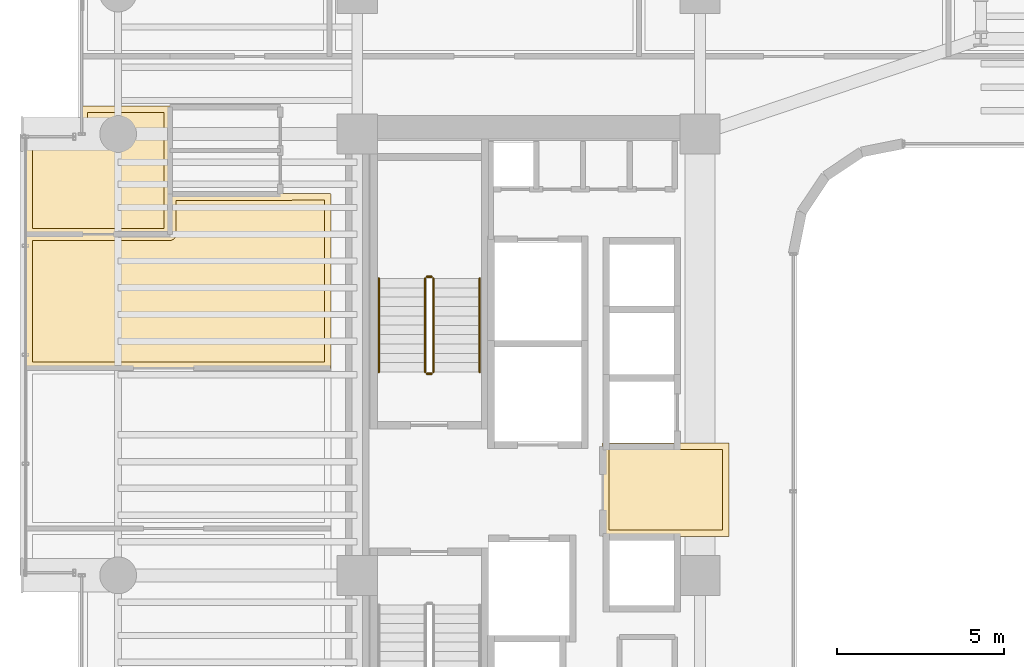
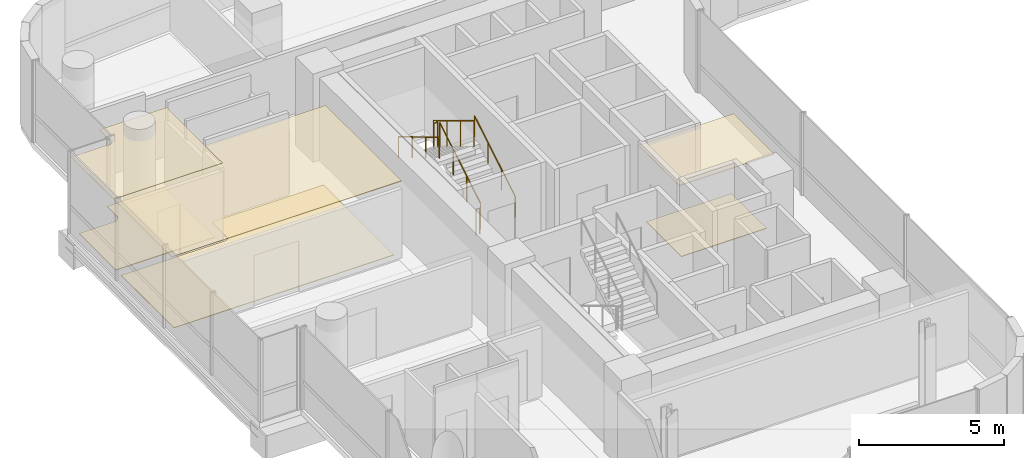
# One storey, part 32 of 35: 6 coverings, 6 railings.
"""IFC4 building model written with IfcOpenShell, lengths in metres."""

from ifc_helpers import new_model, si_unit, direction, frame, origin, origin_2d, place, context, subcontext, project, spatial, polyline, circle, outline, extrude, material, layer, layer_set, type_object, element, save


model = new_model("IFC4")

# Units and contexts
model_context = context("Model", 3, precision=1e-05, world=origin(), true_north=direction((0.0, 1.0)))
body_context = subcontext(model_context, "Body", "Model", "MODEL_VIEW")
ifc_project = project(units=[si_unit("LENGTHUNIT", "METRE"), si_unit("AREAUNIT", "SQUARE_METRE"), si_unit("VOLUMEUNIT", "CUBIC_METRE"), si_unit("PLANEANGLEUNIT", "RADIAN"), si_unit("MASSUNIT", "GRAM", prefix="KILO")], contexts=[model_context])

# Site, building, storey
site_placement = place(None, origin())
site = spatial("IfcSite", under=ifc_project, at=site_placement, CompositionType="ELEMENT")
building_placement = place(site_placement, origin())
building = spatial("IfcBuilding", under=site, at=building_placement, Name="Valdorenza Pilgrim Sanctuary Tower", CompositionType="ELEMENT")
storey_placement = place(building_placement, frame((0.0, 0.0, 139.0)))
storey = spatial("IfcBuildingStorey", under=building, at=storey_placement, Name="L35", CompositionType="ELEMENT", Elevation=139.0)

# Coverings
ifc_material_1 = material(Name="Micro-perforated acoustic mineral ceiling tile", Category="gypsum")
ifc_layer_1 = layer(ifc_material_1, 0.02490234375, Name="Micro-perforated acoustic mineral ceiling tile")
ifc_layer_set_1 = layer_set([ifc_layer_1], Name="Micro-perforated acoustic mineral ceiling tile")
covering_type_1 = type_object("IfcCoveringType", Name="COV-CLG-ACU", PredefinedType="CEILING", material=ifc_layer_set_1)
covering_1_placement = place(storey_placement, frame((0.0, 0.0, 3.159912109375)))
element("IfcCovering", 1, at=covering_1_placement, inside=storey, type_object=covering_type_1, Name="L35 Core A Passenger Lift Lobby Acoustic Ceiling", PredefinedType="CEILING", context=body_context, shape_type="SweptSolid", body=[
    extrude(outline(polyline([(-15.31298828125, 1.244384765625), (-15.31298828125, 1.24462890625), (-15.313720703125, 1.24609375), (-15.314208984375, 1.24755859375), (-15.314697265625, 1.2490234375), (-15.31494140625, 1.25048828125), (-15.31494140625, 1.251953125), (-15.31494140625, 1.35009765625), (-15.31494140625, 1.3515625), (-15.314697265625, 1.352783203125), (-15.314453125, 1.3544921875), (-15.31396484375, 1.355712890625), (-15.313232421875, 1.357177734375), (-15.3125, 1.3583984375), (-15.3115234375, 1.359619140625), (-15.310546875, 1.360595703125), (-15.3095703125, 1.361572265625), (-15.308349609375, 1.362548828125), (-15.30712890625, 1.36328125), (-15.3056640625, 1.364013671875), (-15.304443359375, 1.364501953125), (-15.302978515625, 1.36474609375), (-15.301513671875, 1.364990234375), (-15.300048828125, 1.364990234375), (-15.10205078125, 1.364990234375), (-15.1005859375, 1.364990234375), (-15.09912109375, 1.36474609375), (-15.097412109375, 1.3642578125), (-15.09619140625, 1.36376953125), (-15.0947265625, 1.363037109375), (-15.094482421875, 1.363037109375), (-13.185546875, 1.363037109375), (-13.185302734375, 1.363037109375), (-13.183837890625, 1.36376953125), (-13.1826171875, 1.3642578125), (-13.180908203125, 1.36474609375), (-13.179443359375, 1.364990234375), (-13.177978515625, 1.364990234375), (-11.550048828125, 1.364990234375), (-11.548583984375, 1.364990234375), (-11.547119140625, 1.36474609375), (-11.545654296875, 1.364501953125), (-11.544189453125, 1.364013671875), (-11.54296875, 1.36328125), (-11.541748046875, 1.362548828125), (-11.54052734375, 1.361572265625), (-11.539306640625, 1.360595703125), (-11.538330078125, 1.359619140625), (-11.53759765625, 1.3583984375), (-11.536865234375, 1.357177734375), (-11.5361328125, 1.355712890625), (-11.53564453125, 1.3544921875), (-11.535400390625, 1.352783203125), (-11.53515625, 1.3515625), (-11.534912109375, 1.35009765625), (-11.534912109375, -1.419921875), (-11.53515625, -1.42138671875), (-11.535400390625, -1.4228515625), (-11.53564453125, -1.42431640625), (-11.5361328125, -1.42578125), (-11.536865234375, -1.427001953125), (-11.53759765625, -1.42822265625), (-11.538330078125, -1.429443359375), (-11.539306640625, -1.4306640625), (-11.54052734375, -1.431640625), (-11.541748046875, -1.4326171875), (-11.54296875, -1.43310546875), (-11.544189453125, -1.433837890625), (-11.545654296875, -1.434326171875), (-11.547119140625, -1.434814453125), (-11.548583984375, -1.434814453125), (-11.550048828125, -1.43505859375), (-15.298095703125, -1.43505859375), (-15.299560546875, -1.434814453125), (-15.30078125, -1.434814453125), (-15.302490234375, -1.434326171875), (-15.3037109375, -1.433837890625), (-15.30517578125, -1.43310546875), (-15.306396484375, -1.4326171875), (-15.3076171875, -1.431640625), (-15.30859375, -1.4306640625), (-15.3095703125, -1.429443359375), (-15.310546875, -1.42822265625), (-15.311279296875, -1.427001953125), (-15.31201171875, -1.42578125), (-15.3125, -1.42431640625), (-15.312744140625, -1.4228515625), (-15.31298828125, -1.42138671875), (-15.31298828125, -1.419921875), (-15.31298828125, 1.244384765625)])), origin(), (0.0, 0.0, 1.0), 0.025146484375),
])
covering_2_placement = place(storey_placement, frame((0.0, 0.0, 3.159912109375)))
element("IfcCovering", 2, at=covering_2_placement, inside=storey, type_object=covering_type_1, Name="L35 Pastoral Scholar Office L35-CN1 Acoustic Ceiling", PredefinedType="CEILING", context=body_context, shape_type="SweptSolid", body=[
    extrude(outline(polyline([(-28.237060546875, 8.805419921875), (-28.23681640625, 8.805419921875), (-28.236083984375, 8.803955078125), (-28.235595703125, 8.802490234375), (-28.2353515625, 8.801025390625), (-28.235107421875, 8.799560546875), (-28.235107421875, 8.798095703125), (-28.235107421875, 7.60009765625), (-28.235107421875, 7.598388671875), (-28.2353515625, 7.59716796875), (-28.235595703125, 7.595703125), (-28.236083984375, 7.59423828125), (-28.23681640625, 7.593017578125), (-28.237548828125, 7.591796875), (-28.23828125, 7.590576171875), (-28.239501953125, 7.58935546875), (-28.240478515625, 7.58837890625), (-28.24169921875, 7.58740234375), (-28.242919921875, 7.5869140625), (-28.244384765625, 7.586181640625), (-28.24560546875, 7.585693359375), (-28.2470703125, 7.585205078125), (-28.24853515625, 7.585205078125), (-28.25, 7.5849609375), (-32.5400390625, 7.5849609375), (-32.54150390625, 7.585205078125), (-32.54296875, 7.585205078125), (-32.54443359375, 7.585693359375), (-32.545654296875, 7.586181640625), (-32.547119140625, 7.5869140625), (-32.54833984375, 7.58740234375), (-32.549560546875, 7.58837890625), (-32.550537109375, 7.58935546875), (-32.551513671875, 7.590576171875), (-32.552490234375, 7.591796875), (-32.55322265625, 7.593017578125), (-32.553955078125, 7.59423828125), (-32.554443359375, 7.595703125), (-32.5546875, 7.59716796875), (-32.554931640625, 7.598388671875), (-32.554931640625, 7.60009765625), (-32.554931640625, 10.489990234375), (-32.554931640625, 10.491455078125), (-32.5546875, 10.492919921875), (-32.554443359375, 10.494384765625), (-32.553955078125, 10.49560546875), (-32.55322265625, 10.4970703125), (-32.552490234375, 10.498291015625), (-32.551513671875, 10.49951171875), (-32.550537109375, 10.50048828125), (-32.549560546875, 10.501708984375), (-32.54833984375, 10.50244140625), (-32.547119140625, 10.503173828125), (-32.545654296875, 10.50390625), (-32.54443359375, 10.50439453125), (-32.54296875, 10.504638671875), (-32.54150390625, 10.5048828125), (-32.5400390625, 10.5048828125), (-31.00048828125, 10.5048828125), (-30.99072265625, 10.505615234375), (-30.9814453125, 10.5068359375), (-30.972412109375, 10.509033203125), (-30.963623046875, 10.51220703125), (-30.955078125, 10.51611328125), (-30.947265625, 10.52099609375), (-30.939697265625, 10.526611328125), (-30.932861328125, 10.53271484375), (-30.926513671875, 10.539794921875), (-30.9208984375, 10.547119140625), (-30.916259765625, 10.55517578125), (-30.912109375, 10.563720703125), (-30.9091796875, 10.572509765625), (-30.90673828125, 10.58154296875), (-30.905517578125, 10.5908203125), (-30.905029296875, 10.600341796875), (-30.905029296875, 11.419921875), (-30.90478515625, 11.42138671875), (-30.90478515625, 11.4228515625), (-30.904296875, 11.42431640625), (-30.90380859375, 11.42578125), (-30.9033203125, 11.427001953125), (-30.902587890625, 11.42822265625), (-30.901611328125, 11.429443359375), (-30.900634765625, 11.4306640625), (-30.8994140625, 11.431640625), (-30.898193359375, 11.4326171875), (-30.897216796875, 11.43310546875), (-30.895751953125, 11.433837890625), (-30.894287109375, 11.434326171875), (-30.892822265625, 11.434814453125), (-30.8916015625, 11.434814453125), (-30.889892578125, 11.43505859375), (-28.25, 11.43505859375), (-28.24853515625, 11.434814453125), (-28.2470703125, 11.434814453125), (-28.24560546875, 11.434326171875), (-28.244384765625, 11.433837890625), (-28.242919921875, 11.43310546875), (-28.24169921875, 11.4326171875), (-28.240478515625, 11.431640625), (-28.239501953125, 11.4306640625), (-28.23828125, 11.429443359375), (-28.237548828125, 11.42822265625), (-28.23681640625, 11.427001953125), (-28.236083984375, 11.42578125), (-28.235595703125, 11.42431640625), (-28.2353515625, 11.4228515625), (-28.235107421875, 11.42138671875), (-28.235107421875, 11.419921875), (-28.235107421875, 11.402099609375), (-28.235107421875, 11.400390625), (-28.2353515625, 11.39892578125), (-28.235595703125, 11.3974609375), (-28.236083984375, 11.39599609375), (-28.23681640625, 11.394775390625), (-28.237060546875, 11.39453125), (-28.237060546875, 10.103759765625), (-28.23681640625, 10.10302734375), (-28.23681640625, 10.1015625), (-28.23681640625, 10.10009765625), (-28.23681640625, 10.098388671875), (-28.237060546875, 10.09814453125), (-28.237060546875, 8.805419921875)])), origin(), (0.0, 0.0, 1.0), 0.025146484375),
])
covering_3_placement = place(storey_placement, frame((0.0, 0.0, 3.159912109375)))
element("IfcCovering", 3, at=covering_3_placement, inside=storey, type_object=covering_type_1, Name="L35 North Contemplation Salon L35 Acoustic Ceiling", PredefinedType="CEILING", context=body_context, shape_type="SweptSolid", body=[
    extrude(outline(polyline([(-28.262939453125, 7.613037109375), (-28.262939453125, 8.798095703125), (-28.262939453125, 8.799560546875), (-28.2626953125, 8.80078125), (-28.262451171875, 8.802490234375), (-28.261962890625, 8.8037109375), (-28.26123046875, 8.80517578125), (-28.260498046875, 8.806396484375), (-28.259521484375, 8.8076171875), (-28.258544921875, 8.80859375), (-28.257568359375, 8.8095703125), (-28.25634765625, 8.810546875), (-28.255126953125, 8.811279296875), (-28.253662109375, 8.81201171875), (-28.25244140625, 8.8125), (-28.2509765625, 8.812744140625), (-28.24951171875, 8.81298828125), (-28.248046875, 8.81298828125), (-24.955322265625, 8.81298828125), (-24.954833984375, 8.813232421875), (-24.95361328125, 8.81396484375), (-24.9521484375, 8.814453125), (-24.95068359375, 8.814697265625), (-24.949462890625, 8.81494140625), (-24.947998046875, 8.81494140625), (-23.449951171875, 8.81494140625), (-23.448486328125, 8.81494140625), (-23.447021484375, 8.814697265625), (-23.445556640625, 8.814453125), (-23.4443359375, 8.81396484375), (-23.44287109375, 8.813232421875), (-23.441650390625, 8.8125), (-23.4404296875, 8.8115234375), (-23.439453125, 8.810546875), (-23.4384765625, 8.8095703125), (-23.4375, 8.808349609375), (-23.436767578125, 8.80712890625), (-23.43603515625, 8.8056640625), (-23.435546875, 8.804443359375), (-23.435302734375, 8.802978515625), (-23.43505859375, 8.801513671875), (-23.43505859375, 8.800048828125), (-23.43505859375, 3.60205078125), (-23.43505859375, 3.6005859375), (-23.435302734375, 3.59912109375), (-23.435546875, 3.59765625), (-23.43603515625, 3.59619140625), (-23.436767578125, 3.594970703125), (-23.4375, 3.59375), (-23.4384765625, 3.592529296875), (-23.439453125, 3.59130859375), (-23.4404296875, 3.59033203125), (-23.441650390625, 3.589599609375), (-23.44287109375, 3.5888671875), (-23.4443359375, 3.588134765625), (-23.445556640625, 3.587646484375), (-23.447021484375, 3.58740234375), (-23.448486328125, 3.587158203125), (-23.449951171875, 3.5869140625), (-32.5400390625, 3.5869140625), (-32.54150390625, 3.587158203125), (-32.54296875, 3.58740234375), (-32.54443359375, 3.587646484375), (-32.545654296875, 3.588134765625), (-32.547119140625, 3.5888671875), (-32.54833984375, 3.589599609375), (-32.549560546875, 3.59033203125), (-32.550537109375, 3.59130859375), (-32.551513671875, 3.592529296875), (-32.552490234375, 3.59375), (-32.55322265625, 3.594970703125), (-32.553955078125, 3.59619140625), (-32.554443359375, 3.59765625), (-32.5546875, 3.59912109375), (-32.554931640625, 3.6005859375), (-32.554931640625, 3.60205078125), (-32.554931640625, 7.597900390625), (-32.554931640625, 7.599609375), (-32.5546875, 7.600830078125), (-32.554443359375, 7.602294921875), (-32.553955078125, 7.603759765625), (-32.55322265625, 7.60498046875), (-32.552490234375, 7.606201171875), (-32.551513671875, 7.607421875), (-32.550537109375, 7.608642578125), (-32.549560546875, 7.609619140625), (-32.54833984375, 7.610595703125), (-32.547119140625, 7.611083984375), (-32.545654296875, 7.61181640625), (-32.54443359375, 7.6123046875), (-32.54296875, 7.61279296875), (-32.54150390625, 7.61279296875), (-32.5400390625, 7.613037109375), (-28.262939453125, 7.613037109375)])), origin(), (0.0, 0.0, 1.0), 0.025146484375),
])
ifc_material_2 = material(Name="Honed travertine stone flooring", Category="masonry")
ifc_layer_2 = layer(ifc_material_2, 0.030029296875, Name="Honed travertine stone flooring")
ifc_layer_set_2 = layer_set([ifc_layer_2], Name="Honed travertine stone flooring")
covering_type_2 = type_object("IfcCoveringType", Name="COV-FLR-TRV", PredefinedType="FLOORING", material=ifc_layer_set_2)
covering_4_placement = place(storey_placement, origin())
element("IfcCovering", 4, at=covering_4_placement, inside=storey, type_object=covering_type_2, Name="L35 Core A Passenger Lift Lobby Flooring", PredefinedType="FLOORING", context=body_context, shape_type="SweptSolid", body=[
    extrude(outline(polyline([(-15.117919921875, 1.169189453125), (-15.10888671875, 1.168212890625), (-15.10888671875, 1.168212890625), (-15.10009765625, 1.16796875), (-13.179931640625, 1.16796875), (-13.1796875, 1.16796875), (-11.72998046875, 1.169921875), (-11.72998046875, -1.239990234375), (-15.117919921875, -1.239990234375), (-15.117919921875, 1.169189453125)])), origin(), (0.0, 0.0, 1.0), 0.02490234375),
])
covering_5_placement = place(storey_placement, origin())
element("IfcCovering", 5, at=covering_5_placement, inside=storey, type_object=covering_type_2, Name="L35 Pastoral Scholar Office L35-CN1 Flooring", PredefinedType="FLOORING", context=body_context, shape_type="SweptSolid", body=[
    extrude(outline(polyline([(-28.431884765625, 11.239990234375), (-28.431884765625, 10.10205078125), (-28.431884765625, 10.10107421875), (-28.431884765625, 10.100341796875), (-28.431884765625, 10.10009765625), (-28.431884765625, 8.800048828125), (-28.431884765625, 8.7998046875), (-28.430419921875, 7.780029296875), (-32.360107421875, 7.780029296875), (-32.360107421875, 10.31005859375), (-31.0, 10.31005859375), (-30.9912109375, 10.310302734375), (-30.98046875, 10.310791015625), (-30.962890625, 10.3125), (-30.9521484375, 10.314208984375), (-30.934814453125, 10.3173828125), (-30.92431640625, 10.320068359375), (-30.907470703125, 10.3251953125), (-30.897216796875, 10.328857421875), (-30.880859375, 10.335693359375), (-30.87109375, 10.34033203125), (-30.855712890625, 10.3486328125), (-30.84619140625, 10.35400390625), (-30.831787109375, 10.364013671875), (-30.822998046875, 10.370361328125), (-30.809326171875, 10.381591796875), (-30.80126953125, 10.388916015625), (-30.788818359375, 10.4013671875), (-30.781494140625, 10.4091796875), (-30.7705078125, 10.423095703125), (-30.763916015625, 10.431640625), (-30.754150390625, 10.4462890625), (-30.74853515625, 10.45556640625), (-30.740234375, 10.47119140625), (-30.735595703125, 10.48095703125), (-30.72900390625, 10.497314453125), (-30.725341796875, 10.50732421875), (-30.72021484375, 10.5244140625), (-30.717529296875, 10.534912109375), (-30.714111328125, 10.552001953125), (-30.71240234375, 10.562744140625), (-30.710693359375, 10.580322265625), (-30.710205078125, 10.59130859375), (-30.7099609375, 10.60009765625), (-30.7099609375, 11.239990234375), (-28.431884765625, 11.239990234375)])), origin(), (0.0, 0.0, 1.0), 0.02490234375),
])
covering_6_placement = place(storey_placement, origin())
element("IfcCovering", 6, at=covering_6_placement, inside=storey, type_object=covering_type_2, Name="L35 North Contemplation Salon L35 Flooring", PredefinedType="FLOORING", context=body_context, shape_type="SweptSolid", body=[
    extrude(outline(polyline([(-23.6298828125, 8.619873046875), (-23.6298828125, 3.781982421875), (-32.360107421875, 3.781982421875), (-32.360107421875, 7.41796875), (-28.25, 7.41796875), (-28.2412109375, 7.418212890625), (-28.240966796875, 7.418212890625), (-28.223388671875, 7.419921875), (-28.22314453125, 7.419921875), (-28.205810546875, 7.42333984375), (-28.205810546875, 7.423583984375), (-28.188720703125, 7.4287109375), (-28.188720703125, 7.4287109375), (-28.17236328125, 7.435302734375), (-28.172119140625, 7.435546875), (-28.156494140625, 7.44384765625), (-28.156494140625, 7.44384765625), (-28.1416015625, 7.453857421875), (-28.1416015625, 7.453857421875), (-28.1279296875, 7.465087890625), (-28.127685546875, 7.465087890625), (-28.115234375, 7.477783203125), (-28.114990234375, 7.477783203125), (-28.10400390625, 7.491455078125), (-28.103759765625, 7.49169921875), (-28.093994140625, 7.50634765625), (-28.09375, 7.506591796875), (-28.08544921875, 7.522216796875), (-28.08544921875, 7.522216796875), (-28.07861328125, 7.53857421875), (-28.07861328125, 7.538818359375), (-28.073486328125, 7.5556640625), (-28.073486328125, 7.555908203125), (-28.070068359375, 7.5732421875), (-28.070068359375, 7.573486328125), (-28.068115234375, 7.591064453125), (-28.068115234375, 7.59130859375), (-28.068115234375, 7.60009765625), (-28.068115234375, 8.617919921875), (-24.949951171875, 8.617919921875), (-24.94970703125, 8.617919921875), (-23.6298828125, 8.619873046875)])), origin(), (0.0, 0.0, 1.0), 0.02490234375),
])

# Railings
ifc_material_3 = material(Name="Stainless steel Grade 316", Category="steel")
railing_type_1 = type_object("IfcRailingType", Name="RLG-GRD-1120", PredefinedType="GUARDRAIL", material=ifc_material_3)
railing_1_placement = place(storey_placement, frame((-20.3701171875, 3.47998046875, 0.168212890625)))
element("IfcRailing", 7, at=railing_1_placement, inside=storey, type_object=railing_type_1, Name="L35 ST-A1 stair guard 1", PredefinedType="GUARDRAIL", context=body_context, shape_type="SweptSolid", body=[
    extrude(circle(Radius=0.02392578125, at=origin_2d()), frame((0.0, 0.0, 1.076171875), z_axis=(0.0, 0.857242210791, 0.514913383045), x_axis=(-1.0, 0.0, 0.0)), (0.0, 0.0, 1.0), 3.266357421875),
    extrude(circle(Radius=0.02099609375, at=origin_2d()), origin(), (0.0, 0.0, 1.0), 1.052001953125),
    extrude(circle(Radius=0.02099609375, at=origin_2d()), frame((0.0, 0.933349609375, 0.560546875)), (0.0, 0.0, 1.0), 1.052001953125),
    extrude(circle(Radius=0.02099609375, at=origin_2d()), frame((0.0, 1.86669921875, 1.121337890625)), (0.0, 0.0, 1.0), 1.052001953125),
    extrude(circle(Radius=0.02099609375, at=origin_2d()), frame((0.0, 2.800048828125, 1.681884765625)), (0.0, 0.0, 1.0), 1.052001953125),
])
railing_2_placement = place(storey_placement, frame((-20.419921875, 6.330078125, 1.85009765625)))
element("IfcRailing", 8, at=railing_2_placement, inside=storey, type_object=railing_type_1, Name="L35 ST-A1 stair guard 2", PredefinedType="GUARDRAIL", context=body_context, shape_type="SweptSolid", body=[
    extrude(circle(Radius=0.02392578125, at=origin_2d()), frame((0.0, 0.0, 1.076171875), z_axis=(-1.0, 0.0, 0.0), x_axis=(0.0, -1.0, 0.0)), (0.0, 0.0, 1.0), 0.150146484375),
    extrude(circle(Radius=0.02099609375, at=origin_2d()), origin(), (0.0, 0.0, 1.0), 1.052001953125),
    extrude(circle(Radius=0.02099609375, at=origin_2d()), frame((-0.150146484375, 0.0, 0.0)), (0.0, 0.0, 1.0), 1.052001953125),
])
railing_3_placement = place(storey_placement, frame((-20.6201171875, 6.280029296875, 2.01806640625)))
element("IfcRailing", 9, at=railing_3_placement, inside=storey, type_object=railing_type_1, Name="L35 ST-A1 stair guard 3", PredefinedType="GUARDRAIL", context=body_context, shape_type="SweptSolid", body=[
    extrude(circle(Radius=0.02392578125, at=origin_2d()), frame((0.0, 0.0, 1.076171875), z_axis=(0.0, -0.857242210791, 0.514913383045), x_axis=(1.0, 0.0, 0.0)), (0.0, 0.0, 1.0), 3.266357421875),
    extrude(circle(Radius=0.02099609375, at=origin_2d()), origin(), (0.0, 0.0, 1.0), 1.052001953125),
    extrude(circle(Radius=0.02099609375, at=origin_2d()), frame((0.0, -0.933349609375, 0.560546875)), (0.0, 0.0, 1.0), 1.052001953125),
    extrude(circle(Radius=0.02099609375, at=origin_2d()), frame((0.0, -1.86669921875, 1.121337890625)), (0.0, 0.0, 1.0), 1.052001953125),
    extrude(circle(Radius=0.02099609375, at=origin_2d()), frame((0.0, -2.800048828125, 1.681884765625)), (0.0, 0.0, 1.0), 1.052001953125),
])
railing_4_placement = place(storey_placement, frame((-20.419921875, 3.429931640625, 0.0)))
element("IfcRailing", 10, at=railing_4_placement, inside=storey, type_object=railing_type_1, Name="L35 ST-A1 stair guard 4", PredefinedType="GUARDRAIL", context=body_context, shape_type="SweptSolid", body=[
    extrude(circle(Radius=0.02392578125, at=origin_2d()), frame((0.0, 0.0, 1.076171875), z_axis=(-1.0, 0.0, 0.0), x_axis=(0.0, -1.0, 0.0)), (0.0, 0.0, 1.0), 0.150146484375),
    extrude(circle(Radius=0.02099609375, at=origin_2d()), origin(), (0.0, 0.0, 1.0), 1.052001953125),
    extrude(circle(Radius=0.02099609375, at=origin_2d()), frame((-0.150146484375, 0.0, 0.0)), (0.0, 0.0, 1.0), 1.052001953125),
])
ifc_material_4 = material(Name="Brushed stainless steel Grade 316", Category="steel")
railing_type_2 = type_object("IfcRailingType", Name="RLG-HND-920", PredefinedType="HANDRAIL", material=ifc_material_4)
railing_5_placement = place(storey_placement, frame((-18.989990234375, 3.47998046875, 0.168212890625)))
element("IfcRailing", 11, at=railing_5_placement, inside=storey, type_object=railing_type_2, Name="L35 ST-A1 stair handrail 1", PredefinedType="HANDRAIL", context=body_context, shape_type="SweptSolid", body=[
    extrude(circle(Radius=0.02392578125, at=origin_2d()), frame((0.0, 0.0, 0.8759765625), z_axis=(0.0, 0.857242210791, 0.514913383045), x_axis=(-1.0, 0.0, 0.0)), (0.0, 0.0, 1.0), 3.266357421875),
    extrude(circle(Radius=0.02099609375, at=origin_2d()), origin(), (0.0, 0.0, 1.0), 0.851806640625),
    extrude(circle(Radius=0.02099609375, at=origin_2d()), frame((0.0, 0.933349609375, 0.560546875)), (0.0, 0.0, 1.0), 0.851806640625),
    extrude(circle(Radius=0.02099609375, at=origin_2d()), frame((0.0, 1.86669921875, 1.121337890625)), (0.0, 0.0, 1.0), 0.851806640625),
    extrude(circle(Radius=0.02099609375, at=origin_2d()), frame((0.0, 2.800048828125, 1.681884765625)), (0.0, 0.0, 1.0), 0.851806640625),
])
railing_6_placement = place(storey_placement, frame((-22.0, 6.280029296875, 2.01806640625)))
element("IfcRailing", 12, at=railing_6_placement, inside=storey, type_object=railing_type_2, Name="L35 ST-A1 stair handrail 2", PredefinedType="HANDRAIL", context=body_context, shape_type="SweptSolid", body=[
    extrude(circle(Radius=0.02392578125, at=origin_2d()), frame((0.0, 0.0, 0.8759765625), z_axis=(0.0, -0.857242210791, 0.514913383045), x_axis=(1.0, 0.0, 0.0)), (0.0, 0.0, 1.0), 3.266357421875),
    extrude(circle(Radius=0.02099609375, at=origin_2d()), origin(), (0.0, 0.0, 1.0), 0.851806640625),
    extrude(circle(Radius=0.02099609375, at=origin_2d()), frame((0.0, -0.933349609375, 0.560546875)), (0.0, 0.0, 1.0), 0.851806640625),
    extrude(circle(Radius=0.02099609375, at=origin_2d()), frame((0.0, -1.86669921875, 1.121337890625)), (0.0, 0.0, 1.0), 0.851806640625),
    extrude(circle(Radius=0.02099609375, at=origin_2d()), frame((0.0, -2.800048828125, 1.681884765625)), (0.0, 0.0, 1.0), 0.851806640625),
])

save(model, "model.ifc")
